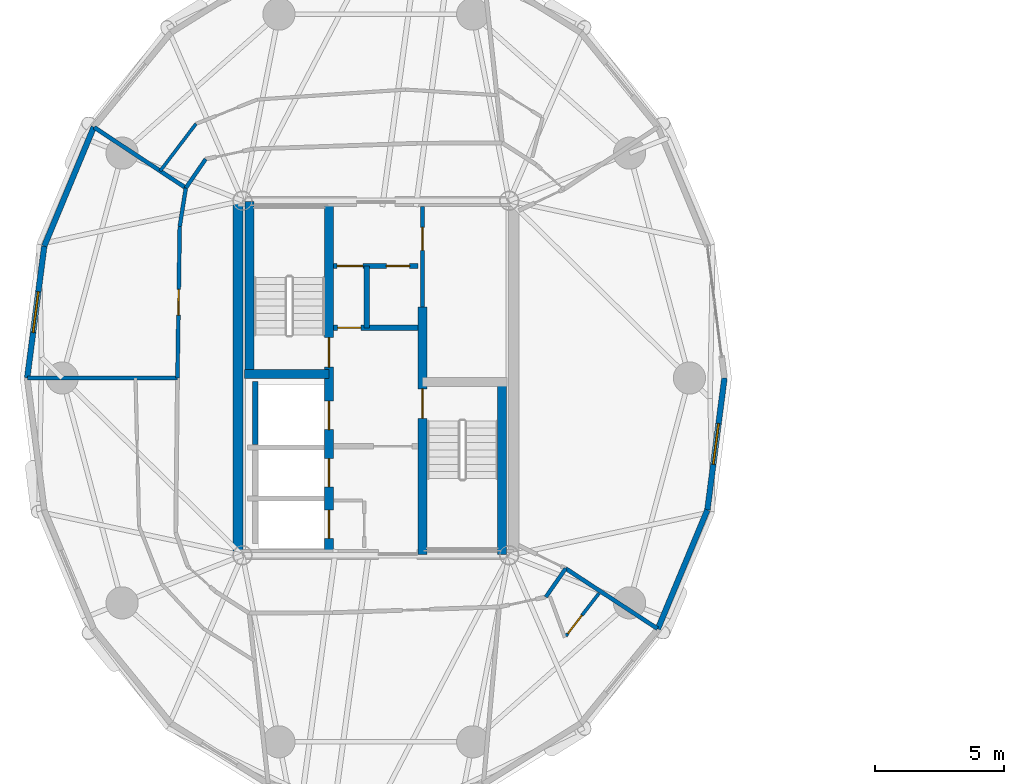
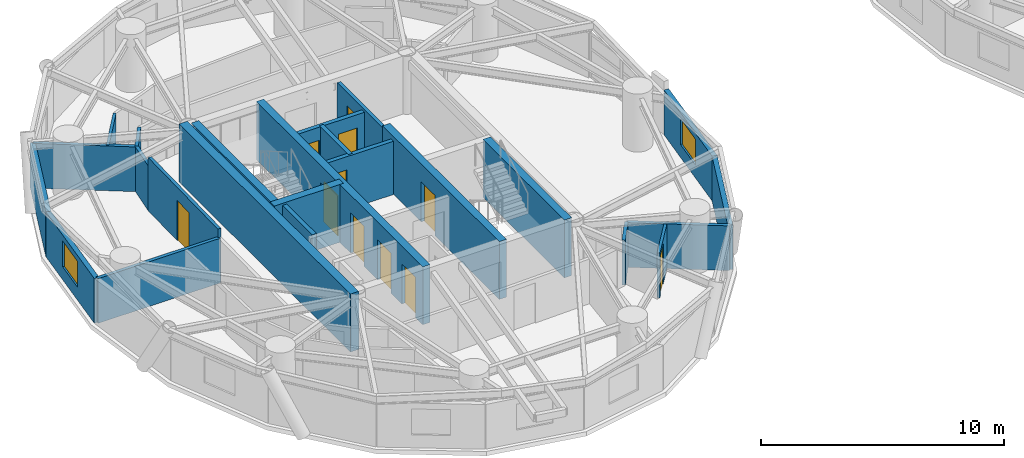
# One storey, part 10 of 17: 24 walls, 11 doors, 2 windows, 13 openings.
"""IFC4 building model written with IfcOpenShell, lengths in metres."""

from ifc_helpers import new_model, si_unit, direction, frame, frame_2d, origin, place, context, subcontext, project, spatial, rectangle, extrude, source, transform, mapped, material, layer, layer_set, type_object, element, fill, save


model = new_model("IFC4")

# Units and contexts
model_context = context("Model", 3, precision=1e-05, world=origin(), true_north=direction((0.0, 1.0)))
body_context = subcontext(model_context, "Body", "Model", "MODEL_VIEW")
ifc_project = project(units=[si_unit("LENGTHUNIT", "METRE"), si_unit("AREAUNIT", "SQUARE_METRE"), si_unit("VOLUMEUNIT", "CUBIC_METRE"), si_unit("PLANEANGLEUNIT", "RADIAN"), si_unit("MASSUNIT", "GRAM", prefix="KILO")], contexts=[model_context])

# Site, building, storey
site_placement = place(None, origin())
site = spatial("IfcSite", under=ifc_project, at=site_placement, CompositionType="ELEMENT")
building_placement = place(site_placement, origin())
building = spatial("IfcBuilding", under=site, at=building_placement, Name="Cununo Teusaquillo Station Towers", CompositionType="ELEMENT")
storey_placement = place(building_placement, frame((0.0, 0.0, 174.8798828125)))
storey = spatial("IfcBuildingStorey", under=building, at=storey_placement, Name="L55", CompositionType="ELEMENT", Elevation=174.8798828125)

# Wall
ifc_material_1 = material(Name="Concrete C50/60", Category="concrete")
ifc_layer_1 = layer(ifc_material_1, 0.199951171875)
ifc_layer_set_1 = layer_set([ifc_layer_1], Name="Concrete C50/60")
wall_type_1 = type_object("IfcWallType", Name="WL-CORE-200", PredefinedType="SHEAR", material=ifc_layer_set_1)
wall_1_placement = place(storey_placement, frame((11.820068359375, 21.919921875, 0.0), z_axis=(0.0, 0.0, 1.0), x_axis=(0.0, 1.0, 0.0)))
element("IfcWall", 1, at=wall_1_placement, inside=storey, type_object=wall_type_1, Name="L55 Tower A Firefighting Lift Shaft Rear Shear Wall", PredefinedType="SHEAR", context=body_context, shape_type="SweptSolid", body=[
    extrude(rectangle(XDim=2.440185546875, YDim=0.199951171875, at=frame_2d((1.22021484375, 0.0))), origin(), (0.0, 0.0, 1.0), 2.91015625),
])

# Wall, openings, doors
ifc_material_2 = material(Name="Concrete C50/60", Category="concrete")
ifc_layer_2 = layer(ifc_material_2, 0.35009765625)
ifc_layer_set_2 = layer_set([ifc_layer_2], Name="Concrete C50/60")
wall_type_2 = type_object("IfcWallType", Name="WL-CORE-350", PredefinedType="SHEAR", material=ifc_layer_set_2)
wall_2_placement = place(storey_placement, frame((14.68505859375, 17.64990234375, 0.0), z_axis=(0.0, 0.0, 1.0), x_axis=(0.0, 1.0, 0.0)))
wall_2 = element("IfcWall", 2, at=wall_2_placement, inside=storey, type_object=wall_type_2, Name="L55 Tower A Core Shear Wall IW", PredefinedType="SHEAR", context=body_context, shape_type="SweptSolid", body=[
    extrude(rectangle(XDim=13.7001953125, YDim=0.35009765625, at=frame_2d((6.85009765625, 0.0))), origin(), (0.0, 0.0, 1.0), 2.91015625),
])
shared_shape_1 = source(origin(), body_context, "Body", "SweptSolid", [
    extrude(rectangle(XDim=1.10009765625, YDim=2.014892578125, at=frame_2d((0.550048828125, 1.00732421875))), frame((0.0, 0.18505859375, 0.0), z_axis=(0.0, -1.0, 0.0), x_axis=(1.0, 0.0, 0.0)), (0.0, 0.0, 1.0), 0.3701171875),
])
opening_1_placement = place(wall_2_placement, frame((4.85009765625, 0.0, 0.0)))
opening_1 = element("IfcOpeningElement", 3, at=opening_1_placement, cuts=wall_2, Name="Opening LD-01", PredefinedType="OPENING", context=body_context, shape_type="MappedRepresentation", body=[
    mapped(shared_shape_1, transform((0.0, 0.0, 0.0), x_axis=(1.0, 0.0, 0.0), y_axis=(0.0, 1.0, 0.0), z_axis=(0.0, 0.0, 1.0), scale=1.0)),
])
opening_2_placement = place(wall_2_placement, frame((0.625, 0.0, 0.0)))
opening_2 = element("IfcOpeningElement", 4, at=opening_2_placement, cuts=wall_2, Name="Opening LD-01", PredefinedType="OPENING", context=body_context, shape_type="MappedRepresentation", body=[
    mapped(shared_shape_1, transform((0.0, 0.0, 0.0), x_axis=(1.0, 0.0, 0.0), y_axis=(0.0, 1.0, 0.0), z_axis=(0.0, 0.0, 1.0), scale=1.0)),
])
opening_3_placement = place(wall_2_placement, frame((2.625, 0.0, 0.0)))
opening_3 = element("IfcOpeningElement", 5, at=opening_3_placement, cuts=wall_2, Name="Opening LD-01", PredefinedType="OPENING", context=body_context, shape_type="MappedRepresentation", body=[
    mapped(shared_shape_1, transform((0.0, 0.0, 0.0), x_axis=(1.0, 0.0, 0.0), y_axis=(0.0, 1.0, 0.0), z_axis=(0.0, 0.0, 1.0), scale=1.0)),
])
shared_shape_2 = source(origin(), body_context, "Body", "SweptSolid", [
    extrude(rectangle(XDim=1.14990234375, YDim=2.02001953125, at=frame_2d((0.574951171875, 1.010009765625))), frame((0.0, 0.18505859375, 0.0), z_axis=(0.0, -1.0, 0.0), x_axis=(1.0, 0.0, 0.0)), (0.0, 0.0, 1.0), 0.3701171875),
])
opening_4_placement = place(wall_2_placement, frame((7.27001953125, 0.0, 0.0)))
opening_4 = element("IfcOpeningElement", 6, at=opening_4_placement, cuts=wall_2, Name="Opening D-ST1", PredefinedType="OPENING", context=body_context, shape_type="MappedRepresentation", body=[
    mapped(shared_shape_2, transform((0.0, 0.0, 0.0), x_axis=(1.0, 0.0, 0.0), y_axis=(0.0, 1.0, 0.0), z_axis=(0.0, 0.0, 1.0), scale=1.0)),
])
ifc_material_3 = material(Name="Galvanised fire-rated hollow steel door assembly", Category="steel")
door_type_1 = type_object("IfcDoorType", Name="DR-LIFT-1100", OperationType="SLIDING_TO_LEFT", PredefinedType="DOOR", material=ifc_material_3)
shared_shape_3 = source(origin(), body_context, "Body", "SweptSolid", [
    extrude(rectangle(XDim=1.10009765625, YDim=2.014892578125, at=frame_2d((0.550048828125, 1.00732421875))), frame((0.0, 0.02490234375, 0.0), z_axis=(0.0, -1.0, 0.0), x_axis=(1.0, 0.0, 0.0)), (0.0, 0.0, 1.0), 0.050048828125),
])
door_1_placement = place(opening_1_placement, origin())
door_1 = element("IfcDoor", 7, at=door_1_placement, inside=storey, type_object=door_type_1, Name="L55 Lift FL-T1 Sliding Landing Door", OperationType="SLIDING_TO_RIGHT", OverallHeight=2.014892578125, OverallWidth=1.10009765625, PredefinedType="DOOR", context=body_context, shape_type="MappedRepresentation", body=[
    mapped(shared_shape_3, transform((0.0, 0.0, 0.0), x_axis=(1.0, 0.0, 0.0), y_axis=(0.0, 1.0, 0.0), z_axis=(0.0, 0.0, 1.0), scale=1.0)),
])
fill(opening_1, door_1)
door_2_placement = place(opening_2_placement, origin())
door_2 = element("IfcDoor", 8, at=door_2_placement, inside=storey, type_object=door_type_1, Name="L55 Lift PL-T1-H1 Sliding Landing Door", OperationType="SLIDING_TO_LEFT", OverallHeight=2.014892578125, OverallWidth=1.10009765625, PredefinedType="DOOR", context=body_context, shape_type="MappedRepresentation", body=[
    mapped(shared_shape_3, transform((0.0, 0.0, 0.0), x_axis=(1.0, 0.0, 0.0), y_axis=(0.0, 1.0, 0.0), z_axis=(0.0, 0.0, 1.0), scale=1.0)),
])
fill(opening_2, door_2)
door_3_placement = place(opening_3_placement, origin())
door_3 = element("IfcDoor", 9, at=door_3_placement, inside=storey, type_object=door_type_1, Name="L55 Lift PL-T1-H2 Sliding Landing Door", OperationType="SLIDING_TO_RIGHT", OverallHeight=2.014892578125, OverallWidth=1.10009765625, PredefinedType="DOOR", context=body_context, shape_type="MappedRepresentation", body=[
    mapped(shared_shape_3, transform((0.0, 0.0, 0.0), x_axis=(1.0, 0.0, 0.0), y_axis=(0.0, 1.0, 0.0), z_axis=(0.0, 0.0, 1.0), scale=1.0)),
])
fill(opening_3, door_3)
ifc_material_4 = material(Name="Galvanised fire-rated hollow steel door assembly", Category="steel")
door_type_2 = type_object("IfcDoorType", Name="DR-STAIR-1150", OperationType="NOTDEFINED", PredefinedType="DOOR", material=ifc_material_4)
shared_shape_4 = source(origin(), body_context, "Body", "SweptSolid", [
    extrude(rectangle(XDim=1.14990234375, YDim=2.02001953125, at=frame_2d((0.574951171875, 1.010009765625))), frame((0.0, 0.02490234375, 0.0), z_axis=(0.0, -1.0, 0.0), x_axis=(1.0, 0.0, 0.0)), (0.0, 0.0, 1.0), 0.050048828125),
])
door_4_placement = place(opening_4_placement, origin())
door_4 = element("IfcDoor", 10, at=door_4_placement, inside=storey, type_object=door_type_2, Name="L55 Tower A Exit Stair 1 Fire Door", OperationType="SINGLE_SWING_RIGHT", OverallHeight=2.02001953125, OverallWidth=1.14990234375, PredefinedType="DOOR", context=body_context, shape_type="MappedRepresentation", body=[
    mapped(shared_shape_4, transform((0.0, 0.0, 0.0), x_axis=(1.0, 0.0, 0.0), y_axis=(0.0, 1.0, 0.0), z_axis=(0.0, 0.0, 1.0), scale=1.0)),
])
fill(opening_4, door_4)

# Wall, opening, door
wall_3_placement = place(storey_placement, frame((18.31494140625, 17.64990234375, 0.0), z_axis=(0.0, 0.0, 1.0), x_axis=(0.0, 1.0, 0.0)))
wall_3 = element("IfcWall", 11, at=wall_3_placement, inside=storey, type_object=wall_type_2, Name="L55 Tower A Core Shear Wall IE", PredefinedType="SHEAR", context=body_context, shape_type="SweptSolid", body=[
    extrude(rectangle(XDim=9.60009765625, YDim=0.35009765625, at=frame_2d((4.800048828125, 0.0))), origin(), (0.0, 0.0, 1.0), 2.91015625),
])
opening_5_placement = place(wall_3_placement, frame((5.280029296875, 0.0, 0.0)))
opening_5 = element("IfcOpeningElement", 12, at=opening_5_placement, cuts=wall_3, Name="Opening D-ST1", PredefinedType="OPENING", context=body_context, shape_type="MappedRepresentation", body=[
    mapped(shared_shape_2, transform((0.0, 0.0, 0.0), x_axis=(1.0, 0.0, 0.0), y_axis=(0.0, 1.0, 0.0), z_axis=(0.0, 0.0, 1.0), scale=1.0)),
])
door_5_placement = place(opening_5_placement, origin())
door_5 = element("IfcDoor", 13, at=door_5_placement, inside=storey, type_object=door_type_2, Name="L55 Tower A Exit Stair 2 Fire Door", OperationType="SINGLE_SWING_LEFT", OverallHeight=2.02001953125, OverallWidth=1.14990234375, PredefinedType="DOOR", context=body_context, shape_type="MappedRepresentation", body=[
    mapped(shared_shape_4, transform((0.0, 0.0, 0.0), x_axis=(1.0, 0.0, 0.0), y_axis=(0.0, 1.0, 0.0), z_axis=(0.0, 0.0, 1.0), scale=1.0)),
])
fill(opening_5, door_5)

# Walls
wall_4_placement = place(storey_placement, frame((11.594970703125, 24.655029296875, 0.0), z_axis=(0.0, 0.0, 1.0), x_axis=(0.0, 1.0, 0.0)))
element("IfcWall", 14, at=wall_4_placement, inside=storey, type_object=wall_type_2, Name="L55 Tower A Core Shear Wall ST1W", PredefinedType="SHEAR", context=body_context, shape_type="SweptSolid", body=[
    extrude(rectangle(XDim=6.695068359375, YDim=0.35009765625, at=frame_2d((3.34765625, 0.0))), origin(), (0.0, 0.0, 1.0), 2.91015625),
])
wall_5_placement = place(storey_placement, frame((11.39990234375, 24.655029296875, 0.0), z_axis=(0.0, 0.0, 1.0), x_axis=(1.0, 0.0, 0.0)))
element("IfcWall", 15, at=wall_5_placement, inside=storey, type_object=wall_type_2, Name="L55 Tower A Core Shear Wall ST1S", PredefinedType="SHEAR", context=body_context, shape_type="SweptSolid", body=[
    extrude(rectangle(XDim=3.28515625, YDim=0.35009765625, at=frame_2d((1.642578125, 0.0))), origin(), (0.0, 0.0, 1.0), 2.91015625),
])
wall_6_placement = place(storey_placement, frame((21.405029296875, 17.64990234375, 0.0), z_axis=(0.0, 0.0, 1.0), x_axis=(0.0, 1.0, 0.0)))
element("IfcWall", 16, at=wall_6_placement, inside=storey, type_object=wall_type_2, Name="L55 Tower A Core Shear Wall ST2E", PredefinedType="SHEAR", context=body_context, shape_type="SweptSolid", body=[
    extrude(rectangle(XDim=6.695068359375, YDim=0.35009765625, at=frame_2d((3.34765625, 0.0))), origin(), (0.0, 0.0, 1.0), 2.91015625),
])
ifc_material_5 = material(Name="Concrete C50/60", Category="concrete")
ifc_layer_3 = layer(ifc_material_5, 0.39990234375)
ifc_layer_set_3 = layer_set([ifc_layer_3], Name="Concrete C50/60")
wall_type_3 = type_object("IfcWallType", Name="WL-CORE-400", PredefinedType="SHEAR", material=ifc_layer_set_3)
wall_7_placement = place(storey_placement, frame((11.14990234375, 17.449951171875, 0.0), z_axis=(0.0, 0.0, 1.0), x_axis=(0.0, 1.0, 0.0)))
element("IfcWall", 17, at=wall_7_placement, inside=storey, type_object=wall_type_3, Name="L55 Tower A Core Shear Wall W", PredefinedType="SHEAR", context=body_context, shape_type="SweptSolid", body=[
    extrude(rectangle(XDim=14.10009765625, YDim=0.39990234375, at=frame_2d((7.050048828125, 0.0))), origin(), (0.0, 0.0, 1.0), 2.91015625),
])
ifc_material_6 = material(Name="Precast concrete C40/50", Category="concrete")
ifc_layer_4 = layer(ifc_material_6, 0.219970703125)
ifc_layer_set_4 = layer_set([ifc_layer_4], Name="Precast concrete C40/50")
wall_type_4 = type_object("IfcWallType", Name="WL-EXT-220", PredefinedType="SOLIDWALL", material=ifc_layer_set_4)
wall_8_placement = place(storey_placement, frame((3.63134765625, 29.620361328125, 0.0), z_axis=(0.0, 0.0, 1.0), x_axis=(0.384144094086, 0.923273152961, 0.0)))
element("IfcWall", 18, at=wall_8_placement, inside=storey, type_object=wall_type_4, Name="L55 Tower A Exterior Facade Wall C08", PredefinedType="SOLIDWALL", context=body_context, shape_type="SweptSolid", body=[
    extrude(rectangle(XDim=5.0029296875, YDim=0.219970703125, at=frame_2d((2.50146484375, 0.0))), origin(), (0.0, 0.0, 1.0), 2.2451171875),
])

# Wall, opening, window
wall_9_placement = place(storey_placement, frame((2.968994140625, 24.5, 0.0), z_axis=(0.0, 0.0, 1.0), x_axis=(0.128287912609, 0.991736966881, 0.0)))
wall_9 = element("IfcWall", 19, at=wall_9_placement, inside=storey, type_object=wall_type_4, Name="L55 Tower A Exterior Facade Wall C09", PredefinedType="SOLIDWALL", context=body_context, shape_type="SweptSolid", body=[
    extrude(rectangle(XDim=5.1630859375, YDim=0.219970703125, at=frame_2d((2.58154296875, 0.0))), origin(), (0.0, 0.0, 1.0), 2.2451171875),
])
shared_shape_5 = source(origin(), body_context, "Body", "SweptSolid", [
    extrude(rectangle(XDim=1.60009765625, YDim=1.300048828125, at=frame_2d((0.800048828125, 0.64990234375))), frame((0.0, 0.119873046875, 0.0), z_axis=(0.0, -1.0, 0.0), x_axis=(1.0, 0.0, 0.0)), (0.0, 0.0, 1.0), 0.239990234375),
])
opening_6_placement = place(wall_9_placement, frame((1.781982421875, 0.0, 0.64990234375)))
opening_6 = element("IfcOpeningElement", 20, at=opening_6_placement, cuts=wall_9, Name="Opening WN-03", PredefinedType="OPENING", context=body_context, shape_type="MappedRepresentation", body=[
    mapped(shared_shape_5, transform((0.0, 0.0, 0.0), x_axis=(1.0, 0.0, 0.0), y_axis=(0.0, 1.0, 0.0), z_axis=(0.0, 0.0, 1.0), scale=1.0)),
])
ifc_material_7 = material(Name="Ceramic-fritted dark low-E double glazing", Category="glass")
window_type = type_object("IfcWindowType", Name="WIN-CORN-1600", PartitioningType="SINGLE_PANEL", PredefinedType="WINDOW", material=ifc_material_7)
shared_shape_6 = source(origin(), body_context, "Body", "SweptSolid", [
    extrude(rectangle(XDim=1.60009765625, YDim=1.300048828125, at=frame_2d((0.800048828125, 0.64990234375))), frame((0.0, 0.030029296875, 0.0), z_axis=(0.0, -1.0, 0.0), x_axis=(1.0, 0.0, 0.0)), (0.0, 0.0, 1.0), 0.06005859375),
])
window_1_placement = place(opening_6_placement, origin())
window_1 = element("IfcWindow", 21, at=window_1_placement, inside=storey, type_object=window_type, Name="L55 Tower A Facade Window C09", OverallHeight=1.300048828125, OverallWidth=1.60009765625, PartitioningType="SINGLE_PANEL", PredefinedType="WINDOW", context=body_context, shape_type="MappedRepresentation", body=[
    mapped(shared_shape_6, transform((0.0, 0.0, 0.0), x_axis=(1.0, 0.0, 0.0), y_axis=(0.0, 1.0, 0.0), z_axis=(0.0, 0.0, 1.0), scale=1.0)),
])
fill(opening_6, window_1)

# Wall
wall_10_placement = place(storey_placement, frame((29.36865234375, 19.379638671875, 0.0), z_axis=(0.0, 0.0, 1.0), x_axis=(-0.384144094086, -0.923273152961, 0.0)))
element("IfcWall", 22, at=wall_10_placement, inside=storey, type_object=wall_type_4, Name="L55 Tower A Exterior Facade Wall C18", PredefinedType="SOLIDWALL", context=body_context, shape_type="SweptSolid", body=[
    extrude(rectangle(XDim=5.0029296875, YDim=0.219970703125, at=frame_2d((2.50146484375, 0.0))), origin(), (0.0, 0.0, 1.0), 2.2451171875),
])

# Wall, opening, window
wall_11_placement = place(storey_placement, frame((30.031005859375, 24.5, 0.0), z_axis=(0.0, 0.0, 1.0), x_axis=(-0.128287912609, -0.991736966881, 0.0)))
wall_11 = element("IfcWall", 23, at=wall_11_placement, inside=storey, type_object=wall_type_4, Name="L55 Tower A Exterior Facade Wall C19", PredefinedType="SOLIDWALL", context=body_context, shape_type="SweptSolid", body=[
    extrude(rectangle(XDim=5.1630859375, YDim=0.219970703125, at=frame_2d((2.58154296875, 0.0))), origin(), (0.0, 0.0, 1.0), 2.2451171875),
])
opening_7_placement = place(wall_11_placement, frame((1.781982421875, 0.0, 0.64990234375)))
opening_7 = element("IfcOpeningElement", 24, at=opening_7_placement, cuts=wall_11, Name="Opening WN-03", PredefinedType="OPENING", context=body_context, shape_type="MappedRepresentation", body=[
    mapped(shared_shape_5, transform((0.0, 0.0, 0.0), x_axis=(1.0, 0.0, 0.0), y_axis=(0.0, 1.0, 0.0), z_axis=(0.0, 0.0, 1.0), scale=1.0)),
])
window_2_placement = place(opening_7_placement, origin())
window_2 = element("IfcWindow", 25, at=window_2_placement, inside=storey, type_object=window_type, Name="L55 Tower A Facade Window C19", OverallHeight=1.300048828125, OverallWidth=1.60009765625, PartitioningType="SINGLE_PANEL", PredefinedType="WINDOW", context=body_context, shape_type="MappedRepresentation", body=[
    mapped(shared_shape_6, transform((0.0, 0.0, 0.0), x_axis=(1.0, 0.0, 0.0), y_axis=(0.0, 1.0, 0.0), z_axis=(0.0, 0.0, 1.0), scale=1.0)),
])
fill(opening_7, window_2)

# Wall
ifc_material_8 = material(Name="Fire-rated gypsum plasterboard partition assembly", Category="gypsum")
ifc_layer_5 = layer(ifc_material_8, 0.125)
ifc_layer_set_5 = layer_set([ifc_layer_5], Name="Fire-rated gypsum plasterboard partition assembly")
wall_type_5 = type_object("IfcWallType", Name="WL-PART-125", PredefinedType="PARTITIONING", material=ifc_layer_set_5)
wall_12_placement = place(storey_placement, frame((9.520263671875, 34.365966796875, 0.0), z_axis=(0.0, 0.0, 1.0), x_axis=(-0.604900120492, -0.796301352648, 0.0)))
element("IfcWall", 26, at=wall_12_placement, inside=storey, type_object=wall_type_5, Name="L55 Tower A Private Butler & Banquet Hall Concentric Partition Wall C07", PredefinedType="PARTITIONING", context=body_context, shape_type="SweptSolid", body=[
    extrude(rectangle(XDim=2.298583984375, YDim=0.125, at=frame_2d((1.1494140625, 0.0))), origin(), (0.0, 0.0, 1.0), 2.2451171875),
])

# Wall, opening, door
wall_13_placement = place(storey_placement, frame((23.875, 14.484375, 0.0), z_axis=(0.0, 0.0, 1.0), x_axis=(0.61297586552, 0.790101631621, 0.0)))
wall_13 = element("IfcWall", 27, at=wall_13_placement, inside=storey, type_object=wall_type_5, Name="L55 Tower A S06 En-suite Back Wall", PredefinedType="PARTITIONING", context=body_context, shape_type="SweptSolid", body=[
    extrude(rectangle(XDim=2.103271484375, YDim=0.125, at=frame_2d((1.0517578125, 0.0))), origin(), (0.0, 0.0, 1.0), 2.2451171875),
])
shared_shape_7 = source(origin(), body_context, "Body", "SweptSolid", [
    extrude(rectangle(XDim=0.89990234375, YDim=2.0048828125, at=frame_2d((0.449951171875, 1.00244140625))), frame((0.0, 0.072509765625, 0.0), z_axis=(0.0, -1.0, 0.0), x_axis=(1.0, 0.0, 0.0)), (0.0, 0.0, 1.0), 0.14501953125),
])
opening_8_placement = place(wall_13_placement, frame((0.1201171875, 0.0, 0.0)))
opening_8 = element("IfcOpeningElement", 28, at=opening_8_placement, cuts=wall_13, Name="Opening D-IN1", PredefinedType="OPENING", context=body_context, shape_type="MappedRepresentation", body=[
    mapped(shared_shape_7, transform((0.0, 0.0, 0.0), x_axis=(1.0, 0.0, 0.0), y_axis=(0.0, 1.0, 0.0), z_axis=(0.0, 0.0, 1.0), scale=1.0)),
])
ifc_material_9 = material(Name="Acoustic solid-core hardwood leaf assembly", Category="wood")
door_type_3 = type_object("IfcDoorType", Name="DR-INT-900", OperationType="NOTDEFINED", PredefinedType="DOOR", material=ifc_material_9)
shared_shape_8 = source(origin(), body_context, "Body", "SweptSolid", [
    extrude(rectangle(XDim=0.89990234375, YDim=2.0048828125, at=frame_2d((0.449951171875, 1.00244140625))), frame((0.0, 0.02490234375, 0.0), z_axis=(0.0, -1.0, 0.0), x_axis=(1.0, 0.0, 0.0)), (0.0, 0.0, 1.0), 0.050048828125),
])
door_6_placement = place(opening_8_placement, origin())
door_6 = element("IfcDoor", 29, at=door_6_placement, inside=storey, type_object=door_type_3, Name="L55 Tower A S06 En-suite Bathroom Door", OperationType="SINGLE_SWING_RIGHT", OverallHeight=2.0048828125, OverallWidth=0.89990234375, PredefinedType="DOOR", context=body_context, shape_type="MappedRepresentation", body=[
    mapped(shared_shape_8, transform((0.0, 0.0, 0.0), x_axis=(1.0, 0.0, 0.0), y_axis=(0.0, 1.0, 0.0), z_axis=(0.0, 0.0, 1.0), scale=1.0)),
])
fill(opening_8, door_6)

# Walls
ifc_material_10 = material(Name="Fire-rated gypsum plasterboard partition assembly", Category="gypsum")
ifc_layer_6 = layer(ifc_material_10, 0.14990234375)
ifc_layer_set_6 = layer_set([ifc_layer_6], Name="Fire-rated gypsum plasterboard partition assembly")
wall_type_6 = type_object("IfcWallType", Name="WL-PART-150", PredefinedType="PARTITIONING", material=ifc_layer_set_6)
wall_14_placement = place(storey_placement, frame((9.894287109375, 32.99560546875, 0.0), z_axis=(0.0, 0.0, 1.0), x_axis=(-0.566521185207, -0.824047175052, 0.0)))
element("IfcWall", 30, at=wall_14_placement, inside=storey, type_object=wall_type_6, Name="L55 Tower A Corridor Ring Wall C07", PredefinedType="PARTITIONING", context=body_context, shape_type="SweptSolid", body=[
    extrude(rectangle(XDim=1.356689453125, YDim=0.14990234375, at=frame_2d((0.67822265625, 0.0))), origin(), (0.0, 0.0, 1.0), 2.2451171875),
])
wall_15_placement = place(storey_placement, frame((9.125732421875, 31.877685546875, 0.0), z_axis=(0.0, 0.0, 1.0), x_axis=(-0.156632813117, -0.98765690493, 0.0)))
element("IfcWall", 31, at=wall_15_placement, inside=storey, type_object=wall_type_6, Name="L55 Tower A Corridor Ring Wall C08", PredefinedType="PARTITIONING", context=body_context, shape_type="SweptSolid", body=[
    extrude(rectangle(XDim=1.51513671875, YDim=0.14990234375, at=frame_2d((0.757568359375, 0.0))), origin(), (0.0, 0.0, 1.0), 2.2451171875),
])

# Wall, opening, door
wall_16_placement = place(storey_placement, frame((8.888427734375, 30.38134765625, 0.0), z_axis=(0.0, 0.0, 1.0), x_axis=(-0.015025285815, -0.999887114021, 0.0)))
wall_16 = element("IfcWall", 32, at=wall_16_placement, inside=storey, type_object=wall_type_6, Name="L55 Tower A Corridor Ring Wall C09", PredefinedType="PARTITIONING", context=body_context, shape_type="SweptSolid", body=[
    extrude(rectangle(XDim=5.882080078125, YDim=0.14990234375, at=frame_2d((2.94091796875, 0.0))), origin(), (0.0, 0.0, 1.0), 2.675048828125),
])
shared_shape_9 = source(origin(), body_context, "Body", "SweptSolid", [
    extrude(rectangle(XDim=1.0, YDim=2.014892578125, at=frame_2d((0.5, 1.00732421875))), frame((0.0, 0.0849609375, 0.0), z_axis=(0.0, -1.0, 0.0), x_axis=(1.0, 0.0, 0.0)), (0.0, 0.0, 1.0), 0.169921875),
])
opening_9_placement = place(wall_16_placement, frame((2.44091796875, 0.0, 0.0)))
opening_9 = element("IfcOpeningElement", 33, at=opening_9_placement, cuts=wall_16, Name="Opening D-AC1", PredefinedType="OPENING", context=body_context, shape_type="MappedRepresentation", body=[
    mapped(shared_shape_9, transform((0.0, 0.0, 0.0), x_axis=(1.0, 0.0, 0.0), y_axis=(0.0, 1.0, 0.0), z_axis=(0.0, 0.0, 1.0), scale=1.0)),
])
ifc_material_11 = material(Name="Acoustic solid-core hardwood leaf assembly", Category="wood")
door_type_4 = type_object("IfcDoorType", Name="DR-ACC-1000", OperationType="NOTDEFINED", PredefinedType="DOOR", material=ifc_material_11)
shared_shape_10 = source(origin(), body_context, "Body", "SweptSolid", [
    extrude(rectangle(XDim=1.0, YDim=2.014892578125, at=frame_2d((0.5, 1.00732421875))), frame((0.0, 0.02490234375, 0.0), z_axis=(0.0, -1.0, 0.0), x_axis=(1.0, 0.0, 0.0)), (0.0, 0.0, 1.0), 0.050048828125),
])
door_7_placement = place(opening_9_placement, origin())
door_7 = element("IfcDoor", 34, at=door_7_placement, inside=storey, type_object=door_type_4, Name="L55 Tower A Public Accessible Restroom WC Entrance Door", OperationType="SINGLE_SWING_LEFT", OverallHeight=2.014892578125, OverallWidth=1.0, PredefinedType="DOOR", context=body_context, shape_type="MappedRepresentation", body=[
    mapped(shared_shape_10, transform((0.0, 0.0, 0.0), x_axis=(1.0, 0.0, 0.0), y_axis=(0.0, 1.0, 0.0), z_axis=(0.0, 0.0, 1.0), scale=1.0)),
])
fill(opening_9, door_7)

# Wall
wall_17_placement = place(storey_placement, frame((23.098876953125, 15.999267578125, 0.0), z_axis=(0.0, 0.0, 1.0), x_axis=(0.570001625459, 0.821643564433, 0.0)))
element("IfcWall", 35, at=wall_17_placement, inside=storey, type_object=wall_type_6, Name="L55 Tower A Corridor Ring Wall C17", PredefinedType="PARTITIONING", context=body_context, shape_type="SweptSolid", body=[
    extrude(rectangle(XDim=1.3466796875, YDim=0.14990234375, at=frame_2d((0.67333984375, 0.0))), origin(), (0.0, 0.0, 1.0), 2.2451171875),
])

# Wall, opening, door
ifc_material_12 = material(Name="Fire-rated gypsum plasterboard partition assembly", Category="gypsum")
ifc_layer_7 = layer(ifc_material_12, 0.159912109375)
ifc_layer_set_7 = layer_set([ifc_layer_7], Name="Fire-rated gypsum plasterboard partition assembly")
wall_type_7 = type_object("IfcWallType", Name="WL-PART-160", PredefinedType="PARTITIONING", material=ifc_layer_set_7)
wall_18_placement = place(storey_placement, frame((18.31494140625, 27.25, 0.0), z_axis=(0.0, 0.0, 1.0), x_axis=(0.0, 1.0, 0.0)))
wall_18 = element("IfcWall", 36, at=wall_18_placement, inside=storey, type_object=wall_type_7, Name="L55 Tower A Reclaimed Core Bay Entry Wall", PredefinedType="PARTITIONING", context=body_context, shape_type="SweptSolid", body=[
    extrude(rectangle(XDim=3.89990234375, YDim=0.159912109375, at=frame_2d((1.949951171875, 0.0))), origin(), (0.0, 0.0, 1.0), 2.675048828125),
])
shared_shape_11 = source(origin(), body_context, "Body", "SweptSolid", [
    extrude(rectangle(XDim=0.89990234375, YDim=2.0048828125, at=frame_2d((0.449951171875, 1.00244140625))), frame((0.0, 0.08984375, 0.0), z_axis=(0.0, -1.0, 0.0), x_axis=(1.0, 0.0, 0.0)), (0.0, 0.0, 1.0), 0.179931640625),
])
opening_10_placement = place(wall_18_placement, frame((2.199951171875, 0.0, 0.0)))
opening_10 = element("IfcOpeningElement", 37, at=opening_10_placement, cuts=wall_18, Name="Opening D-IN1", PredefinedType="OPENING", context=body_context, shape_type="MappedRepresentation", body=[
    mapped(shared_shape_11, transform((0.0, 0.0, 0.0), x_axis=(1.0, 0.0, 0.0), y_axis=(0.0, 1.0, 0.0), z_axis=(0.0, 0.0, 1.0), scale=1.0)),
])
door_8_placement = place(opening_10_placement, origin())
door_8 = element("IfcDoor", 38, at=door_8_placement, inside=storey, type_object=door_type_3, Name="L55 Tower A Reclaimed Core Lounge Door", OperationType="SINGLE_SWING_RIGHT", OverallHeight=2.0048828125, OverallWidth=0.89990234375, PredefinedType="DOOR", context=body_context, shape_type="MappedRepresentation", body=[
    mapped(shared_shape_8, transform((0.0, 0.0, 0.0), x_axis=(1.0, 0.0, 0.0), y_axis=(0.0, 1.0, 0.0), z_axis=(0.0, 0.0, 1.0), scale=1.0)),
])
fill(opening_10, door_8)

# Walls
wall_19_placement = place(storey_placement, frame((9.125732421875, 31.877685546875, 0.0), z_axis=(0.0, 0.0, 1.0), x_axis=(-0.834299098788, 0.551312083815, 0.0)))
element("IfcWall", 39, at=wall_19_placement, inside=storey, type_object=wall_type_7, Name="L55 Tower A Radial Suite Partition R03", PredefinedType="PARTITIONING", context=body_context, shape_type="SweptSolid", body=[
    extrude(rectangle(XDim=4.2626953125, YDim=0.159912109375, at=frame_2d((2.13134765625, 0.0))), origin(), (0.0, 0.0, 1.0), 2.2451171875),
])
wall_20_placement = place(storey_placement, frame((8.800048828125, 24.5, 0.0), z_axis=(0.0, 0.0, 1.0), x_axis=(-1.0, 0.0, 0.0)))
element("IfcWall", 40, at=wall_20_placement, inside=storey, type_object=wall_type_7, Name="L55 Tower A Radial Suite Partition R04", PredefinedType="PARTITIONING", context=body_context, shape_type="SweptSolid", body=[
    extrude(rectangle(XDim=5.81103515625, YDim=0.159912109375, at=frame_2d((2.905517578125, 0.0))), origin(), (0.0, 0.0, 1.0), 2.2451171875),
])
wall_21_placement = place(storey_placement, frame((23.866455078125, 17.105712890625, 0.0), z_axis=(0.0, 0.0, 1.0), x_axis=(0.836641352238, -0.547751081902, 0.0)))
element("IfcWall", 41, at=wall_21_placement, inside=storey, type_object=wall_type_7, Name="L55 Tower A Radial Suite Partition R07", PredefinedType="PARTITIONING", context=body_context, shape_type="SweptSolid", body=[
    extrude(rectangle(XDim=4.26025390625, YDim=0.159912109375, at=frame_2d((2.130126953125, 0.0))), origin(), (0.0, 0.0, 1.0), 2.2451171875),
])

# Wall, opening, door
ifc_material_13 = material(Name="Fire-rated gypsum plasterboard partition assembly", Category="gypsum")
ifc_layer_8 = layer(ifc_material_13, 0.199951171875)
ifc_layer_set_8 = layer_set([ifc_layer_8], Name="Fire-rated gypsum plasterboard partition assembly")
wall_type_8 = type_object("IfcWallType", Name="WL-PART-200", PredefinedType="PARTITIONING", material=ifc_layer_set_8)
wall_22_placement = place(storey_placement, frame((14.860107421875, 26.449951171875, 0.0), z_axis=(0.0, 0.0, 1.0), x_axis=(1.0, 0.0, 0.0)))
wall_22 = element("IfcWall", 42, at=wall_22_placement, inside=storey, type_object=wall_type_8, Name="L55 Tower A Firefighting Lift Lobby North Fire Wall", PredefinedType="PARTITIONING", context=body_context, shape_type="SweptSolid", body=[
    extrude(rectangle(XDim=3.27978515625, YDim=0.199951171875, at=frame_2d((1.639892578125, 0.0))), origin(), (0.0, 0.0, 1.0), 2.675048828125),
])
shared_shape_12 = source(origin(), body_context, "Body", "SweptSolid", [
    extrude(rectangle(XDim=0.89990234375, YDim=2.0048828125, at=frame_2d((0.449951171875, 1.00244140625))), frame((0.0, 0.10986328125, 0.0), z_axis=(0.0, -1.0, 0.0), x_axis=(1.0, 0.0, 0.0)), (0.0, 0.0, 1.0), 0.219970703125),
])
opening_11_placement = place(wall_22_placement, frame((0.159912109375, 0.0, 0.0)))
opening_11 = element("IfcOpeningElement", 43, at=opening_11_placement, cuts=wall_22, Name="Opening D-SR1", PredefinedType="OPENING", context=body_context, shape_type="MappedRepresentation", body=[
    mapped(shared_shape_12, transform((0.0, 0.0, 0.0), x_axis=(1.0, 0.0, 0.0), y_axis=(0.0, 1.0, 0.0), z_axis=(0.0, 0.0, 1.0), scale=1.0)),
])
ifc_material_14 = material(Name="Galvanised fire-rated hollow steel door assembly", Category="steel")
door_type_5 = type_object("IfcDoorType", Name="DR-STORE-900", OperationType="NOTDEFINED", PredefinedType="DOOR", material=ifc_material_14)
door_9_placement = place(opening_11_placement, origin())
door_9 = element("IfcDoor", 44, at=door_9_placement, inside=storey, type_object=door_type_5, Name="L55 Tower A Stair 1 Protected Vestibule South Door", OperationType="SINGLE_SWING_RIGHT", OverallHeight=2.0048828125, OverallWidth=0.89990234375, PredefinedType="DOOR", context=body_context, shape_type="MappedRepresentation", body=[
    mapped(shared_shape_8, transform((0.0, 0.0, 0.0), x_axis=(1.0, 0.0, 0.0), y_axis=(0.0, 1.0, 0.0), z_axis=(0.0, 0.0, 1.0), scale=1.0)),
])
fill(opening_11, door_9)

# Wall
wall_23_placement = place(storey_placement, frame((16.14990234375, 26.449951171875, 0.0), z_axis=(0.0, 0.0, 1.0), x_axis=(0.0, 1.0, 0.0)))
element("IfcWall", 45, at=wall_23_placement, inside=storey, type_object=wall_type_8, Name="L55 Tower A Stair 1 Vestibule Partition Wall", PredefinedType="PARTITIONING", context=body_context, shape_type="SweptSolid", body=[
    extrude(rectangle(XDim=2.400146484375, YDim=0.199951171875, at=frame_2d((1.2001953125, 0.0))), origin(), (0.0, 0.0, 1.0), 2.675048828125),
])

# Wall, openings, doors
wall_24_placement = place(storey_placement, frame((14.860107421875, 28.85009765625, 0.0), z_axis=(0.0, 0.0, 1.0), x_axis=(1.0, 0.0, 0.0)))
wall_24 = element("IfcWall", 46, at=wall_24_placement, inside=storey, type_object=wall_type_8, Name="L55 Tower A North Lift Lobby South Fire Wall", PredefinedType="PARTITIONING", context=body_context, shape_type="SweptSolid", body=[
    extrude(rectangle(XDim=3.27978515625, YDim=0.199951171875, at=frame_2d((1.639892578125, 0.0))), origin(), (0.0, 0.0, 1.0), 2.675048828125),
])
shared_shape_13 = source(origin(), body_context, "Body", "SweptSolid", [
    extrude(rectangle(XDim=1.0, YDim=2.014892578125, at=frame_2d((0.5, 1.00732421875))), frame((0.0, 0.10986328125, 0.0), z_axis=(0.0, -1.0, 0.0), x_axis=(1.0, 0.0, 0.0)), (0.0, 0.0, 1.0), 0.219970703125),
])
opening_12_placement = place(wall_24_placement, frame((0.139892578125, 0.0, 0.0)))
opening_12 = element("IfcOpeningElement", 47, at=opening_12_placement, cuts=wall_24, Name="Opening D-AC1", PredefinedType="OPENING", context=body_context, shape_type="MappedRepresentation", body=[
    mapped(shared_shape_13, transform((0.0, 0.0, 0.0), x_axis=(1.0, 0.0, 0.0), y_axis=(0.0, 1.0, 0.0), z_axis=(0.0, 0.0, 1.0), scale=1.0)),
])
opening_13_placement = place(wall_24_placement, frame((2.050048828125, 0.0, 0.0)))
opening_13 = element("IfcOpeningElement", 48, at=opening_13_placement, cuts=wall_24, Name="Opening D-SR1", PredefinedType="OPENING", context=body_context, shape_type="MappedRepresentation", body=[
    mapped(shared_shape_12, transform((0.0, 0.0, 0.0), x_axis=(1.0, 0.0, 0.0), y_axis=(0.0, 1.0, 0.0), z_axis=(0.0, 0.0, 1.0), scale=1.0)),
])
door_10_placement = place(opening_13_placement, origin())
door_10 = element("IfcDoor", 49, at=door_10_placement, inside=storey, type_object=door_type_5, Name="L55 Tower A Core Housekeeping & Linen Store Door", OperationType="SINGLE_SWING_LEFT", OverallHeight=2.0048828125, OverallWidth=0.89990234375, PredefinedType="DOOR", context=body_context, shape_type="MappedRepresentation", body=[
    mapped(shared_shape_8, transform((0.0, 0.0, 0.0), x_axis=(1.0, 0.0, 0.0), y_axis=(0.0, 1.0, 0.0), z_axis=(0.0, 0.0, 1.0), scale=1.0)),
])
fill(opening_13, door_10)
door_11_placement = place(opening_12_placement, origin())
door_11 = element("IfcDoor", 50, at=door_11_placement, inside=storey, type_object=door_type_4, Name="L55 Tower A North Lift Lobby to Stair 1 Vestibule Door", OperationType="SINGLE_SWING_LEFT", OverallHeight=2.014892578125, OverallWidth=1.0, PredefinedType="DOOR", context=body_context, shape_type="MappedRepresentation", body=[
    mapped(shared_shape_10, transform((0.0, 0.0, 0.0), x_axis=(1.0, 0.0, 0.0), y_axis=(0.0, 1.0, 0.0), z_axis=(0.0, 0.0, 1.0), scale=1.0)),
])
fill(opening_12, door_11)

save(model, "model.ifc")
